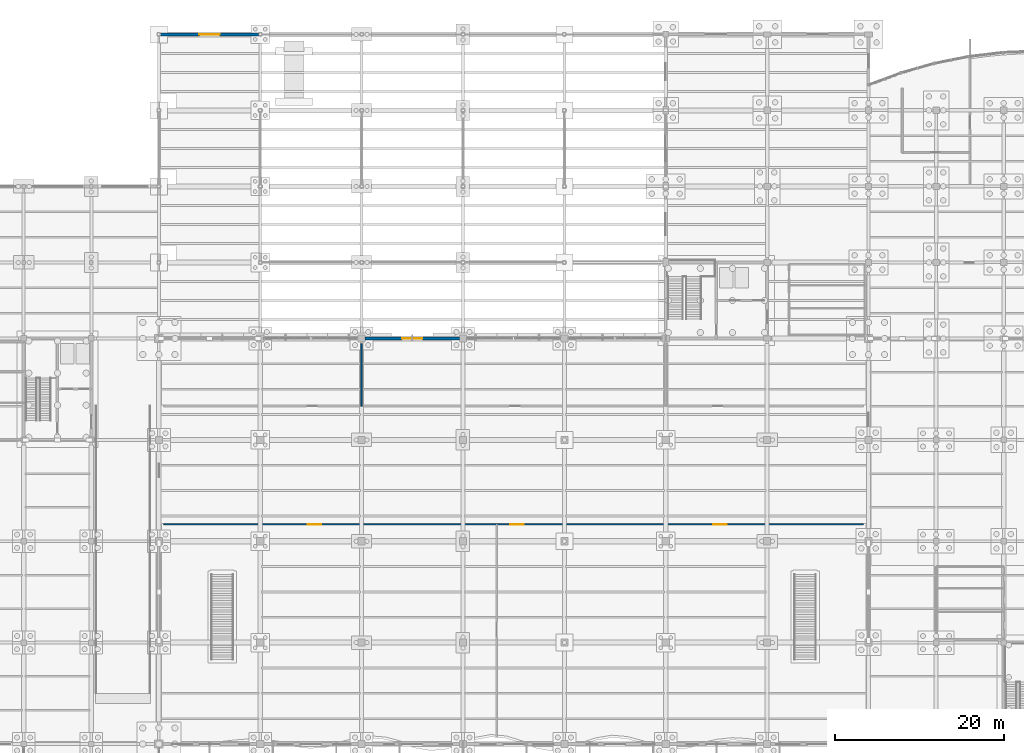
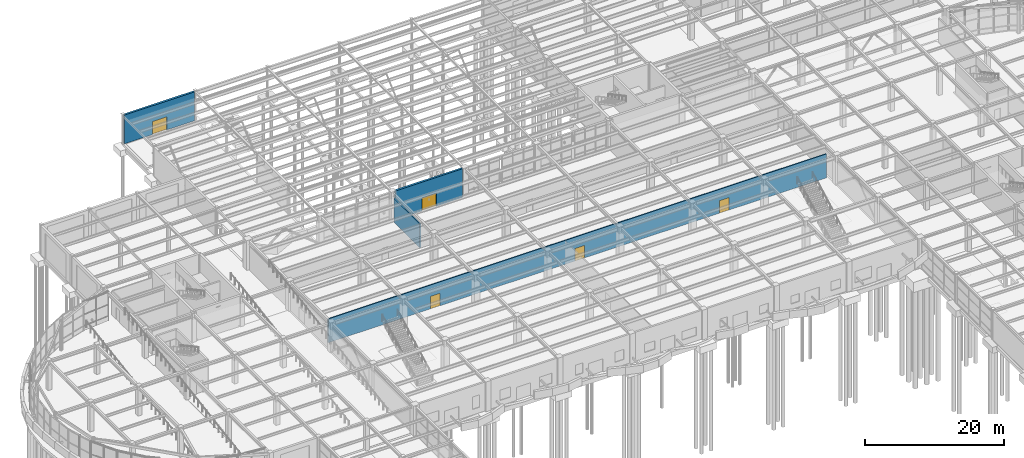
# One storey, part 65 of 85: 5 doors, 4 walls, 5 openings.
"""IFC4 building model written with IfcOpenShell, lengths in metres."""

from ifc_helpers import new_model, si_unit, direction, frame, frame_2d, origin, place, context, subcontext, project, spatial, rectangle, extrude, material, layer, layer_set, type_object, element, fill, save


model = new_model("IFC4")

# Units and contexts
model_context = context("Model", 3, precision=1e-05, world=origin(), true_north=direction((0.0, 1.0)))
body_context = subcontext(model_context, "Body", "Model", "MODEL_VIEW")
ifc_project = project(units=[si_unit("LENGTHUNIT", "METRE"), si_unit("AREAUNIT", "SQUARE_METRE"), si_unit("VOLUMEUNIT", "CUBIC_METRE"), si_unit("PLANEANGLEUNIT", "RADIAN"), si_unit("MASSUNIT", "GRAM", prefix="KILO")], contexts=[model_context])

# Site, building, storey
site_placement = place(None, origin())
site = spatial("IfcSite", under=ifc_project, at=site_placement, CompositionType="ELEMENT")
building_placement = place(site_placement, origin())
building = spatial("IfcBuilding", under=site, at=building_placement, Name="Keelwater Ferry Terminal", CompositionType="ELEMENT")
storey_placement = place(building_placement, origin())
storey = spatial("IfcBuildingStorey", under=building, at=storey_placement, Name="L00", CompositionType="ELEMENT", Elevation=0.0)

# Wall, opening, door
ifc_material_1 = material(Name="Precast concrete C40/50", Category="concrete")
ifc_layer_1 = layer(ifc_material_1, 0.340087890625)
ifc_layer_set_1 = layer_set([ifc_layer_1], Name="Precast concrete C40/50")
wall_type_1 = type_object("IfcWallType", Name="EW-LM340 External Solid Wall 340", PredefinedType="SOLIDWALL", material=ifc_layer_set_1)
wall_1_placement = place(storey_placement, frame((72.425048828125, 90.0, 0.0), z_axis=(0.0, 0.0, 1.0), x_axis=(1.0, 0.0, 0.0)))
wall_1 = element("IfcWall", 1, at=wall_1_placement, inside=storey, type_object=wall_type_1, Name="External Wall WL-L00-0042", PredefinedType="SOLIDWALL", context=body_context, shape_type="SweptSolid", body=[
    extrude(rectangle(XDim=11.14990234375, YDim=0.340087890625, at=frame_2d((5.574951171875, 0.0))), origin(), (0.0, 0.0, 1.0), 5.06005859375),
])
opening_1_placement = place(wall_1_placement, frame((4.375, 0.0, 0.0)))
opening_1 = element("IfcOpeningElement", 2, at=opening_1_placement, cuts=wall_1, Name="Opening ED-12", PredefinedType="OPENING", context=body_context, shape_type="SweptSolid", body=[
    extrude(rectangle(XDim=2.39990234375, YDim=2.300048828125, at=frame_2d((1.199951171875, 1.14990234375))), frame((0.0, 0.179931640625, 0.0), z_axis=(0.0, -1.0, 0.0), x_axis=(1.0, 0.0, 0.0)), (0.0, 0.0, 1.0), 0.360107421875),
])
ifc_material_2 = material(Name="Anodised aluminium and laminated safety glass", Category="aluminium")
door_type_1 = type_object("IfcDoorType", Name="ED-T1 Pedestrian Door 2400x2300", OperationType="DOUBLE_DOOR_SINGLE_SWING", PredefinedType="DOOR", material=ifc_material_2)
door_1_placement = place(opening_1_placement, origin())
door_1 = element("IfcDoor", 3, at=door_1_placement, inside=storey, type_object=door_type_1, Name="Door ED-12", OperationType="DOUBLE_DOOR_SINGLE_SWING", OverallHeight=2.300048828125, OverallWidth=2.39990234375, PredefinedType="DOOR", context=body_context, shape_type="SweptSolid", body=[
    extrude(rectangle(XDim=2.39990234375, YDim=2.300048828125, at=frame_2d((1.199951171875, 1.14990234375))), frame((0.0, 0.02490234375, 0.0), z_axis=(0.0, -1.0, 0.0), x_axis=(1.0, 0.0, 0.0)), (0.0, 0.0, 1.0), 0.050048828125),
])
fill(opening_1, door_1)

wall_2_placement = place(storey_placement, frame((48.202880859375, 126.0, 0.0), z_axis=(0.0, 0.0, 1.0), x_axis=(1.0, 0.0, 0.0)))
wall_2 = element("IfcWall", 4, at=wall_2_placement, inside=storey, type_object=wall_type_1, Name="External Wall WL-L00-0043", PredefinedType="SOLIDWALL", context=body_context, shape_type="SweptSolid", body=[
    extrude(rectangle(XDim=11.59423828125, YDim=0.340087890625, at=frame_2d((5.797119140625, 0.0))), origin(), (0.0, 0.0, 1.0), 5.06005859375),
])
opening_2_placement = place(wall_2_placement, frame((4.596923828125, 0.0, 0.0)))
opening_2 = element("IfcOpeningElement", 5, at=opening_2_placement, cuts=wall_2, Name="Opening ED-13", PredefinedType="OPENING", context=body_context, shape_type="SweptSolid", body=[
    extrude(rectangle(XDim=2.39990234375, YDim=2.300048828125, at=frame_2d((1.199951171875, 1.14990234375))), frame((0.0, 0.179931640625, 0.0), z_axis=(0.0, -1.0, 0.0), x_axis=(1.0, 0.0, 0.0)), (0.0, 0.0, 1.0), 0.360107421875),
])
door_2_placement = place(opening_2_placement, origin())
door_2 = element("IfcDoor", 6, at=door_2_placement, inside=storey, type_object=door_type_1, Name="Door ED-13", OperationType="DOUBLE_DOOR_SINGLE_SWING", OverallHeight=2.300048828125, OverallWidth=2.39990234375, PredefinedType="DOOR", context=body_context, shape_type="SweptSolid", body=[
    extrude(rectangle(XDim=2.39990234375, YDim=2.300048828125, at=frame_2d((1.199951171875, 1.14990234375))), frame((0.0, 0.02490234375, 0.0), z_axis=(0.0, -1.0, 0.0), x_axis=(1.0, 0.0, 0.0)), (0.0, 0.0, 1.0), 0.050048828125),
])
fill(opening_2, door_2)

# Wall
ifc_material_3 = material(Name="Concrete C40/50", Category="concrete")
ifc_layer_2 = layer(ifc_material_3, 0.199951171875)
ifc_layer_set_2 = layer_set([ifc_layer_2], Name="Concrete C40/50")
wall_type_2 = type_object("IfcWallType", Name="IW-200 Solid Wall 200", PredefinedType="SOLIDWALL", material=ifc_layer_set_2)
wall_3_placement = place(storey_placement, frame((72.0, 82.0, 0.0), z_axis=(0.0, 0.0, 1.0), x_axis=(0.0, 1.0, 0.0)))
element("IfcWall", 7, at=wall_3_placement, inside=storey, type_object=wall_type_2, Name="Interior Wall WL-INT-L00-0230", PredefinedType="SOLIDWALL", context=body_context, shape_type="SweptSolid", body=[
    extrude(rectangle(XDim=7.39990234375, YDim=0.199951171875, at=frame_2d((3.699951171875, 0.0))), origin(), (0.0, 0.0, 1.0), 4.199951171875),
])

# Wall, openings, doors
ifc_material_4 = material(Name="Gypsum board on acoustic steel stud", Category="steel")
ifc_layer_3 = layer(ifc_material_4, 0.14990234375)
ifc_layer_set_3 = layer_set([ifc_layer_3], Name="Gypsum board on acoustic steel stud")
wall_type_3 = type_object("IfcWallType", Name="PT-150 Partition Wall 150", PredefinedType="PARTITIONING", material=ifc_layer_set_3)
wall_4_placement = place(storey_placement, frame((48.60009765625, 68.0, 0.0), z_axis=(0.0, 0.0, 1.0), x_axis=(1.0, 0.0, 0.0)))
wall_4 = element("IfcWall", 8, at=wall_4_placement, inside=storey, type_object=wall_type_3, Name="Interior Wall WL-INT-L00-0228", PredefinedType="PARTITIONING", context=body_context, shape_type="SweptSolid", body=[
    extrude(rectangle(XDim=82.7998046875, YDim=0.14990234375, at=frame_2d((41.39990234375, 0.0))), origin(), (0.0, 0.0, 1.0), 4.199951171875),
])
opening_3_placement = place(wall_4_placement, frame((17.0, 0.0, 0.0)))
opening_3 = element("IfcOpeningElement", 9, at=opening_3_placement, cuts=wall_4, Name="Opening DR-004", PredefinedType="OPENING", context=body_context, shape_type="SweptSolid", body=[
    extrude(rectangle(XDim=1.60009765625, YDim=2.199951171875, at=frame_2d((0.800048828125, 1.10009765625))), frame((0.0, 0.0849609375, 0.0), z_axis=(0.0, -1.0, 0.0), x_axis=(1.0, 0.0, 0.0)), (0.0, 0.0, 1.0), 0.169921875),
])
opening_4_placement = place(wall_4_placement, frame((41.0, 0.0, 0.0)))
opening_4 = element("IfcOpeningElement", 10, at=opening_4_placement, cuts=wall_4, Name="Opening DR-005", PredefinedType="OPENING", context=body_context, shape_type="SweptSolid", body=[
    extrude(rectangle(XDim=1.60009765625, YDim=2.199951171875, at=frame_2d((0.800048828125, 1.10009765625))), frame((0.0, 0.0849609375, 0.0), z_axis=(0.0, -1.0, 0.0), x_axis=(1.0, 0.0, 0.0)), (0.0, 0.0, 1.0), 0.169921875),
])
opening_5_placement = place(wall_4_placement, frame((65.0, 0.0, 0.0)))
opening_5 = element("IfcOpeningElement", 11, at=opening_5_placement, cuts=wall_4, Name="Opening DR-006", PredefinedType="OPENING", context=body_context, shape_type="SweptSolid", body=[
    extrude(rectangle(XDim=1.60009765625, YDim=2.199951171875, at=frame_2d((0.800048828125, 1.10009765625))), frame((0.0, 0.0849609375, 0.0), z_axis=(0.0, -1.0, 0.0), x_axis=(1.0, 0.0, 0.0)), (0.0, 0.0, 1.0), 0.169921875),
])
ifc_material_5 = material(Name="Acoustic oak and fire-rated steel frame door", Category="steel")
door_type_2 = type_object("IfcDoorType", Name="ID-01 Pedestrian Door 1600x2200", OperationType="DOUBLE_DOOR_SINGLE_SWING", PredefinedType="DOOR", material=ifc_material_5)
door_3_placement = place(opening_3_placement, origin())
door_3 = element("IfcDoor", 12, at=door_3_placement, inside=storey, type_object=door_type_2, Name="Door DR-004", OperationType="DOUBLE_DOOR_SINGLE_SWING", OverallHeight=2.199951171875, OverallWidth=1.60009765625, PredefinedType="DOOR", context=body_context, shape_type="SweptSolid", body=[
    extrude(rectangle(XDim=1.60009765625, YDim=2.199951171875, at=frame_2d((0.800048828125, 1.10009765625))), frame((0.0, 0.02490234375, 0.0), z_axis=(0.0, -1.0, 0.0), x_axis=(1.0, 0.0, 0.0)), (0.0, 0.0, 1.0), 0.050048828125),
])
fill(opening_3, door_3)
door_4_placement = place(opening_4_placement, origin())
door_4 = element("IfcDoor", 13, at=door_4_placement, inside=storey, type_object=door_type_2, Name="Door DR-005", OperationType="DOUBLE_DOOR_SINGLE_SWING", OverallHeight=2.199951171875, OverallWidth=1.60009765625, PredefinedType="DOOR", context=body_context, shape_type="SweptSolid", body=[
    extrude(rectangle(XDim=1.60009765625, YDim=2.199951171875, at=frame_2d((0.800048828125, 1.10009765625))), frame((0.0, 0.02490234375, 0.0), z_axis=(0.0, -1.0, 0.0), x_axis=(1.0, 0.0, 0.0)), (0.0, 0.0, 1.0), 0.050048828125),
])
fill(opening_4, door_4)
door_5_placement = place(opening_5_placement, origin())
door_5 = element("IfcDoor", 14, at=door_5_placement, inside=storey, type_object=door_type_2, Name="Door DR-006", OperationType="DOUBLE_DOOR_SINGLE_SWING", OverallHeight=2.199951171875, OverallWidth=1.60009765625, PredefinedType="DOOR", context=body_context, shape_type="SweptSolid", body=[
    extrude(rectangle(XDim=1.60009765625, YDim=2.199951171875, at=frame_2d((0.800048828125, 1.10009765625))), frame((0.0, 0.02490234375, 0.0), z_axis=(0.0, -1.0, 0.0), x_axis=(1.0, 0.0, 0.0)), (0.0, 0.0, 1.0), 0.050048828125),
])
fill(opening_5, door_5)

save(model, "model.ifc")
